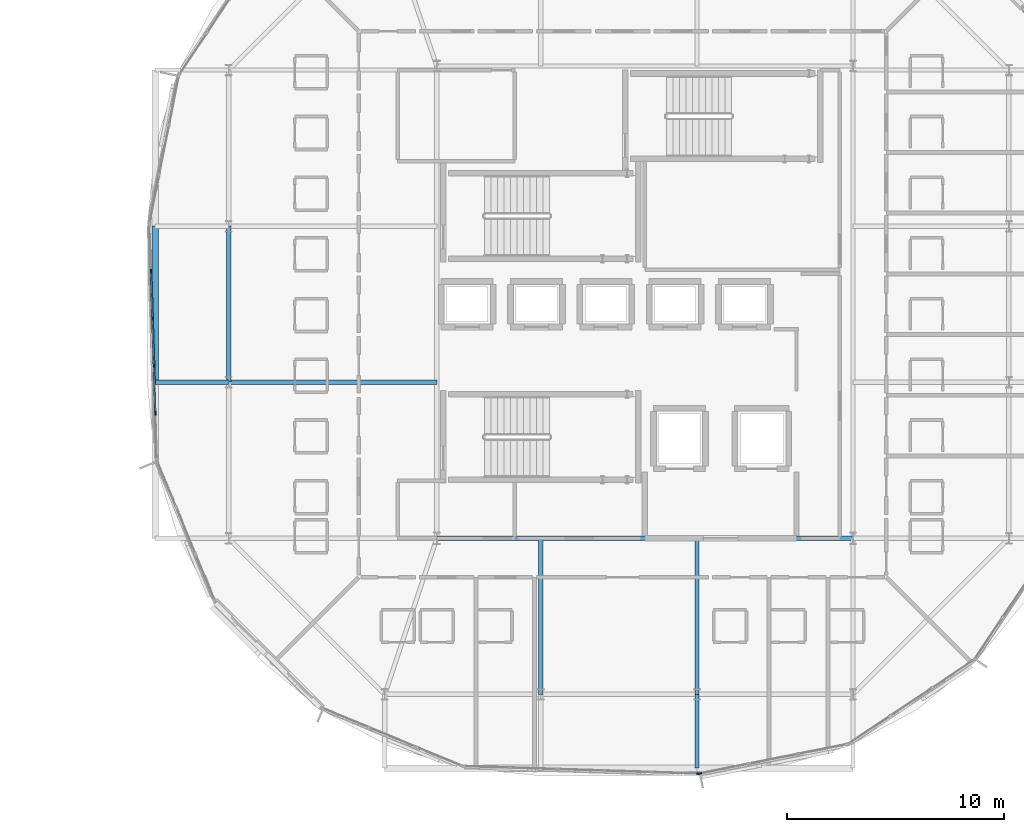
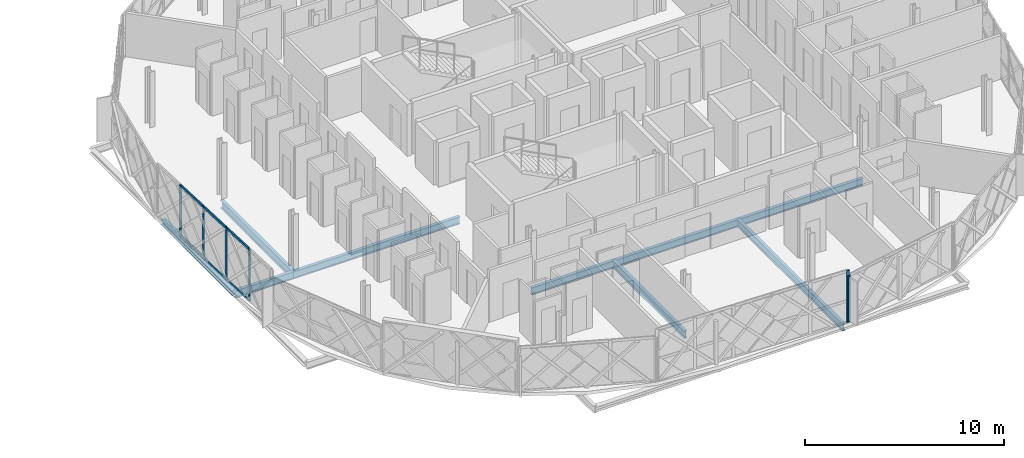
# One storey, part 6 of 26: 12 members, 8 beams, 3 elements without a shape of their own.
"""IFC4 building model written with IfcOpenShell, lengths in metres."""

from ifc_helpers import new_model, si_unit, direction, frame, origin, origin_2d, place, context, subcontext, project, spatial, rectangle, i_section, extrude, material, layer, layer_set, material_profile, profile_set, type_object, element, aggregate, save


model = new_model("IFC4")

# Units and contexts
model_context = context("Model", 3, precision=1e-05, world=origin(), true_north=direction((0.0, 1.0)))
body_context = subcontext(model_context, "Body", "Model", "MODEL_VIEW")
ifc_project = project(units=[si_unit("LENGTHUNIT", "METRE"), si_unit("AREAUNIT", "SQUARE_METRE"), si_unit("VOLUMEUNIT", "CUBIC_METRE"), si_unit("PLANEANGLEUNIT", "RADIAN"), si_unit("MASSUNIT", "GRAM", prefix="KILO")], contexts=[model_context])

# Site, building, storey
site_placement = place(None, origin())
site = spatial("IfcSite", under=ifc_project, at=site_placement, CompositionType="ELEMENT")
building_placement = place(site_placement, origin())
building = spatial("IfcBuilding", under=site, at=building_placement, Name="Zevrakil Square Congress Hotel", CompositionType="ELEMENT")
storey_placement = place(building_placement, frame((0.0, 0.0, 24.89990234375)))
storey = spatial("IfcBuildingStorey", under=building, at=storey_placement, Name="L07", CompositionType="ELEMENT", Elevation=24.89990234375)

# Beams
ifc_material_1 = material(Name="Steel S355", Category="steel")
ifc_material_profile_1 = material_profile(ifc_material_1, i_section(OverallWidth=0.18994140625, OverallDepth=0.449951171875, WebThickness=0.009521484375, FlangeThickness=0.0146484375, FilletRadius=0.02099609375, at=origin_2d()), Name="IPE 450")
ifc_profile_set_1 = profile_set([ifc_material_profile_1], Name="Steel S355")
beam_type_1 = type_object("IfcBeamType", Name="BM-IPE450", PredefinedType="BEAM", material=ifc_profile_set_1)
beam_1_placement = place(storey_placement, frame((136.800048828125, 16.800048828125, -0.429931640625), z_axis=(1.0, 0.0, 0.0), x_axis=(0.0, 1.0, 0.0)))
element("IfcBeam", 1, at=beam_1_placement, inside=storey, type_object=beam_type_1, Name="L07 drum core perimeter tie beam DCB-01", PredefinedType="BEAM", context=body_context, shape_type="SweptSolid", body=[
    extrude(i_section(OverallWidth=0.18994140625, OverallDepth=0.449951171875, WebThickness=0.009521484375, FlangeThickness=0.0146484375, FilletRadius=0.02099609375, at=origin_2d()), origin(), (0.0, 0.0, 1.0), 19.199951171875),
])
for number, where, z_axis, x_axis, name in (
    (2, (141.60009765625, 16.800048828125, -0.429931640625), (0.0, -1.0, 0.0), (1.0, 0.0, 0.0), "L07 drum radial floor beam DRI-02"),
    (3, (148.800048828125, 16.800048828125, -0.429931640625), (0.0, -1.0, 0.0), (1.0, 0.0, 0.0), "L07 drum radial floor beam DRI-03"),
):
    element("IfcBeam", number, at=place(storey_placement, frame(where, z_axis=z_axis, x_axis=x_axis)), inside=storey, type_object=beam_type_1, Name=name, PredefinedType="BEAM", context=body_context, shape_type="SweptSolid", body=[
        extrude(i_section(OverallWidth=0.18994140625, OverallDepth=0.449951171875, WebThickness=0.009521484375, FlangeThickness=0.0146484375, FilletRadius=0.02099609375, at=origin_2d()), origin(), (0.0, 0.0, 1.0), 7.199951171875),
    ])
beam_2_placement = place(storey_placement, frame((148.800048828125, 9.60009765625, -0.429931640625), z_axis=(0.0, -1.0, 0.0), x_axis=(1.0, 0.0, 0.0)))
element("IfcBeam", 4, at=beam_2_placement, inside=storey, type_object=beam_type_1, Name="L07 drum radial edge cantilever beam DRO-03", PredefinedType="BEAM", context=body_context, shape_type="SweptSolid", body=[
    extrude(i_section(OverallWidth=0.18994140625, OverallDepth=0.449951171875, WebThickness=0.009521484375, FlangeThickness=0.0146484375, FilletRadius=0.02099609375, at=origin_2d()), origin(), (0.0, 0.0, 1.0), 3.400146484375),
])
beam_3_placement = place(storey_placement, frame((136.800048828125, 24.0, -0.429931640625), z_axis=(-1.0, 0.0, 0.0), x_axis=(0.0, -1.0, 0.0)))
element("IfcBeam", 5, at=beam_3_placement, inside=storey, type_object=beam_type_1, Name="L07 drum radial floor beam DRI-15", PredefinedType="BEAM", context=body_context, shape_type="SweptSolid", body=[
    extrude(i_section(OverallWidth=0.18994140625, OverallDepth=0.449951171875, WebThickness=0.009521484375, FlangeThickness=0.0146484375, FilletRadius=0.02099609375, at=origin_2d()), origin(), (0.0, 0.0, 1.0), 9.60009765625),
])
beam_4_placement = place(storey_placement, frame((127.199951171875, 24.0, -0.429931640625), z_axis=(-1.0, 0.0, 0.0), x_axis=(0.0, -1.0, 0.0)))
element("IfcBeam", 6, at=beam_4_placement, inside=storey, type_object=beam_type_1, Name="L07 drum radial edge cantilever beam DRO-15", PredefinedType="BEAM", context=body_context, shape_type="SweptSolid", body=[
    extrude(i_section(OverallWidth=0.18994140625, OverallDepth=0.449951171875, WebThickness=0.009521484375, FlangeThickness=0.0146484375, FilletRadius=0.02099609375, at=origin_2d()), origin(), (0.0, 0.0, 1.0), 3.39990234375),
])
ifc_material_2 = material(Name="Steel S355", Category="steel")
ifc_material_profile_2 = material_profile(ifc_material_2, i_section(OverallWidth=0.199951171875, OverallDepth=0.5, WebThickness=0.01025390625, FlangeThickness=0.01611328125, FilletRadius=0.02099609375, at=origin_2d()), Name="IPE 500")
ifc_profile_set_2 = profile_set([ifc_material_profile_2], Name="Steel S355")
beam_type_2 = type_object("IfcBeamType", Name="BM-IPE500", PredefinedType="BEAM", material=ifc_profile_set_2)
beam_5_placement = place(storey_placement, frame((127.199951171875, 31.199951171875, -0.454833984375), z_axis=(0.0, -1.0, 0.0), x_axis=(1.0, 0.0, 0.0)))
element("IfcBeam", 7, at=beam_5_placement, inside=storey, type_object=beam_type_2, Name="L07 drum ring girder DRB-14", PredefinedType="BEAM", context=body_context, shape_type="SweptSolid", body=[
    extrude(i_section(OverallWidth=0.199951171875, OverallDepth=0.5, WebThickness=0.01025390625, FlangeThickness=0.01611328125, FilletRadius=0.02099609375, at=origin_2d()), origin(), (0.0, 0.0, 1.0), 7.199951171875),
])

# Curtain wall, members
ifc_material_3 = material(Name="Aluminium Anodised Bronze", Category="aluminium")
ifc_layer_1 = layer(ifc_material_3, 0.179931640625)
ifc_layer_set_1 = layer_set([ifc_layer_1], Name="Aluminium Anodised Bronze")
curtain_wall_type_1 = type_object("IfcCurtainWallType", Name="CW-L07-900", PredefinedType="USERDEFINED", material=ifc_layer_set_1)
curtain_wall_1_placement = place(storey_placement, origin())
curtain_wall_1 = element("IfcCurtainWall", 8, at=curtain_wall_1_placement, inside=storey, type_object=curtain_wall_type_1, Name="L07 diamond curtain wall CW-L07-0231", ObjectType="GLAZED CURTAIN WALL", PredefinedType="USERDEFINED")
ifc_material_4 = material(Name="Aluminium Anodised Bronze", Category="aluminium")
ifc_material_profile_3 = material_profile(ifc_material_4, rectangle(XDim=0.074951171875, YDim=0.14990234375, at=origin_2d()), Name="ALU 75x150")
ifc_profile_set_3 = profile_set([ifc_material_profile_3], Name="Aluminium Anodised Bronze")
member_type_1 = type_object("IfcMemberType", Name="CWM-ALU75x150", PredefinedType="USERDEFINED", material=ifc_profile_set_3)
member_1_placement = place(storey_placement, frame((123.60986328125, 29.092529296875, 0.030029296875), z_axis=(0.031615198015, -0.999500114685, 0.0), x_axis=(0.999500114685, 0.031615198015, 0.0)))
member_1 = element("IfcMember", 9, at=member_1_placement, type_object=member_type_1, Name="CW-84 transom 2.1", ObjectType="TRANSOM", PredefinedType="USERDEFINED", context=body_context, shape_type="SweptSolid", body=[
    extrude(rectangle(XDim=0.074951171875, YDim=0.14990234375, at=origin_2d()), origin(), (0.0, 0.0, 1.0), 2.12353515625),
])
member_2_placement = place(storey_placement, frame((123.60986328125, 29.092529296875, 3.16015625), z_axis=(0.031615198015, -0.999500114685, 0.0), x_axis=(0.999500114685, 0.031615198015, 0.0)))
member_2 = element("IfcMember", 10, at=member_2_placement, type_object=member_type_1, Name="CW-84 transom 2.2", ObjectType="TRANSOM", PredefinedType="USERDEFINED", context=body_context, shape_type="SweptSolid", body=[
    extrude(rectangle(XDim=0.074951171875, YDim=0.14990234375, at=origin_2d()), origin(), (0.0, 0.0, 1.0), 2.12353515625),
])
member_3_placement = place(storey_placement, frame((123.678955078125, 26.909912109375, 0.030029296875), z_axis=(0.031615198015, -0.999500114685, 0.0), x_axis=(0.999500114685, 0.031615198015, 0.0)))
member_3 = element("IfcMember", 11, at=member_3_placement, type_object=member_type_1, Name="CW-84 transom 3.1", ObjectType="TRANSOM", PredefinedType="USERDEFINED", context=body_context, shape_type="SweptSolid", body=[
    extrude(rectangle(XDim=0.074951171875, YDim=0.14990234375, at=origin_2d()), origin(), (0.0, 0.0, 1.0), 2.12353515625),
])
member_4_placement = place(storey_placement, frame((123.678955078125, 26.909912109375, 3.16015625), z_axis=(0.031615198015, -0.999500114685, 0.0), x_axis=(0.999500114685, 0.031615198015, 0.0)))
member_4 = element("IfcMember", 12, at=member_4_placement, type_object=member_type_1, Name="CW-84 transom 3.2", ObjectType="TRANSOM", PredefinedType="USERDEFINED", context=body_context, shape_type="SweptSolid", body=[
    extrude(rectangle(XDim=0.074951171875, YDim=0.14990234375, at=origin_2d()), origin(), (0.0, 0.0, 1.0), 2.12353515625),
])
member_5_placement = place(storey_placement, frame((123.748046875, 24.727294921875, 0.030029296875), z_axis=(0.031500347942, -0.999503740903, 0.0), x_axis=(0.999503740903, 0.031500347942, 0.0)))
member_5 = element("IfcMember", 13, at=member_5_placement, type_object=member_type_1, Name="CW-84 transom 4.1", ObjectType="TRANSOM", PredefinedType="USERDEFINED", context=body_context, shape_type="SweptSolid", body=[
    extrude(rectangle(XDim=0.074951171875, YDim=0.14990234375, at=origin_2d()), origin(), (0.0, 0.0, 1.0), 2.12353515625),
])
member_6_placement = place(storey_placement, frame((123.748046875, 24.727294921875, 3.16015625), z_axis=(0.031500347942, -0.999503740903, 0.0), x_axis=(0.999503740903, 0.031500347942, 0.0)))
member_6 = element("IfcMember", 14, at=member_6_placement, type_object=member_type_1, Name="CW-84 transom 4.2", ObjectType="TRANSOM", PredefinedType="USERDEFINED", context=body_context, shape_type="SweptSolid", body=[
    extrude(rectangle(XDim=0.074951171875, YDim=0.14990234375, at=origin_2d()), origin(), (0.0, 0.0, 1.0), 2.12353515625),
])

# Curtain wall, member
ifc_material_5 = material(Name="Aluminium Anodised Bronze", Category="aluminium")
ifc_layer_2 = layer(ifc_material_5, 0.179931640625)
ifc_layer_set_2 = layer_set([ifc_layer_2], Name="Aluminium Anodised Bronze")
curtain_wall_type_2 = type_object("IfcCurtainWallType", Name="CW-L07-720", PredefinedType="USERDEFINED", material=ifc_layer_set_2)
curtain_wall_2_placement = place(storey_placement, origin())
curtain_wall_2 = element("IfcCurtainWall", 15, at=curtain_wall_2_placement, inside=storey, type_object=curtain_wall_type_2, Name="L07 diamond curtain wall CW-L07-0219", ObjectType="GLAZED CURTAIN WALL", PredefinedType="USERDEFINED")
ifc_material_6 = material(Name="Aluminium Anodised Bronze", Category="aluminium")
ifc_material_profile_4 = material_profile(ifc_material_6, rectangle(XDim=0.074951171875, YDim=0.179931640625, at=origin_2d()), Name="ALU 75x180")
ifc_profile_set_4 = profile_set([ifc_material_profile_4], Name="Aluminium Anodised Bronze")
member_type_2 = type_object("IfcMemberType", Name="CWM-ALU75x180", PredefinedType="MULLION", material=ifc_profile_set_4)
member_7_placement = place(storey_placement, frame((148.934326171875, 5.94580078125, 0.0), z_axis=(0.0, 0.0, 1.0), x_axis=(-0.195083900459, 0.980786557708, 0.0)))
member_7 = element("IfcMember", 16, at=member_7_placement, type_object=member_type_2, Name="CW-82 mullion 1", PredefinedType="MULLION", context=body_context, shape_type="SweptSolid", body=[
    extrude(rectangle(XDim=0.074951171875, YDim=0.179931640625, at=origin_2d()), origin(), (0.0, 0.0, 1.0), 2.875),
])
aggregate(curtain_wall_2, [member_7])

# Member
member_8_placement = place(storey_placement, frame((123.60888671875, 29.12255859375, 0.0), z_axis=(0.0, 0.0, 1.0), x_axis=(0.999500643846, 0.031598464383, 0.0)))
member_8 = element("IfcMember", 17, at=member_8_placement, type_object=member_type_2, Name="CW-84 mullion 2", PredefinedType="MULLION", context=body_context, shape_type="SweptSolid", body=[
    extrude(rectangle(XDim=0.074951171875, YDim=0.179931640625, at=origin_2d()), origin(), (0.0, 0.0, 1.0), 3.190185546875),
])

member_9_placement = place(storey_placement, frame((123.677978515625, 26.93994140625, 0.0), z_axis=(0.0, 0.0, 1.0), x_axis=(0.999500643846, 0.031598464383, 0.0)))
member_9 = element("IfcMember", 18, at=member_9_placement, type_object=member_type_2, Name="CW-84 mullion 3", PredefinedType="MULLION", context=body_context, shape_type="SweptSolid", body=[
    extrude(rectangle(XDim=0.074951171875, YDim=0.179931640625, at=origin_2d()), origin(), (0.0, 0.0, 1.0), 3.190185546875),
])

member_10_placement = place(storey_placement, frame((123.7470703125, 24.75732421875, 0.0), z_axis=(0.0, 0.0, 1.0), x_axis=(0.999500643846, 0.031598464383, 0.0)))
member_10 = element("IfcMember", 19, at=member_10_placement, type_object=member_type_2, Name="CW-84 mullion 4", PredefinedType="MULLION", context=body_context, shape_type="SweptSolid", body=[
    extrude(rectangle(XDim=0.074951171875, YDim=0.179931640625, at=origin_2d()), origin(), (0.0, 0.0, 1.0), 3.190185546875),
])

member_11_placement = place(storey_placement, frame((123.81591796875, 22.57470703125, 0.0), z_axis=(0.0, 0.0, 1.0), x_axis=(0.999500643846, 0.031598464383, 0.0)))
member_11 = element("IfcMember", 20, at=member_11_placement, type_object=member_type_2, Name="CW-84 mullion 5", PredefinedType="MULLION", context=body_context, shape_type="SweptSolid", body=[
    extrude(rectangle(XDim=0.074951171875, YDim=0.179931640625, at=origin_2d()), origin(), (0.0, 0.0, 1.0), 3.190185546875),
])

aggregate(curtain_wall_1, [member_8, member_9, member_10, member_11, member_1, member_2, member_3, member_4, member_5, member_6])

# Curtain wall, member
curtain_wall_3_placement = place(storey_placement, origin())
curtain_wall_3 = element("IfcCurtainWall", 21, at=curtain_wall_3_placement, inside=storey, type_object=curtain_wall_type_1, Name="L07 diamond curtain wall CW-L07-0234", ObjectType="GLAZED CURTAIN WALL", PredefinedType="USERDEFINED")
member_12_placement = place(storey_placement, frame((148.875, 5.94091796875, 0.0), z_axis=(0.0, 0.0, 1.0), x_axis=(0.031598464383, 0.999500643846, 0.0)))
member_12 = element("IfcMember", 22, at=member_12_placement, type_object=member_type_2, Name="CW-84 mullion 6", PredefinedType="MULLION", context=body_context, shape_type="SweptSolid", body=[
    extrude(rectangle(XDim=0.074951171875, YDim=0.179931640625, at=origin_2d()), origin(), (0.0, 0.0, 1.0), 3.190185546875),
])
aggregate(curtain_wall_3, [member_12])

# Beam
ifc_material_7 = material(Name="Steel S355", Category="steel")
ifc_material_profile_5 = material_profile(ifc_material_7, i_section(OverallWidth=0.300048828125, OverallDepth=0.300048828125, WebThickness=0.010986328125, FlangeThickness=0.01904296875, FilletRadius=0.027099609375, at=origin_2d()), Name="HEB 300")
ifc_profile_set_5 = profile_set([ifc_material_profile_5], Name="Steel S355")
beam_type_3 = type_object("IfcBeamType", Name="SPD-RHS250", PredefinedType="SPANDREL", material=ifc_profile_set_5)
beam_6_placement = place(storey_placement, frame((123.800048828125, 31.199951171875, -0.35498046875), z_axis=(0.0, -1.0, 0.0), x_axis=(1.0, 0.0, 0.0)))
element("IfcBeam", 23, at=beam_6_placement, inside=storey, type_object=beam_type_3, Name="L07 drum edge spandrel beam DSP-13", PredefinedType="SPANDREL", context=body_context, shape_type="SweptSolid", body=[
    extrude(i_section(OverallWidth=0.300048828125, OverallDepth=0.300048828125, WebThickness=0.010986328125, FlangeThickness=0.01904296875, FilletRadius=0.027099609375, at=origin_2d()), origin(), (0.0, 0.0, 1.0), 7.199951171875),
])

save(model, "model.ifc")
